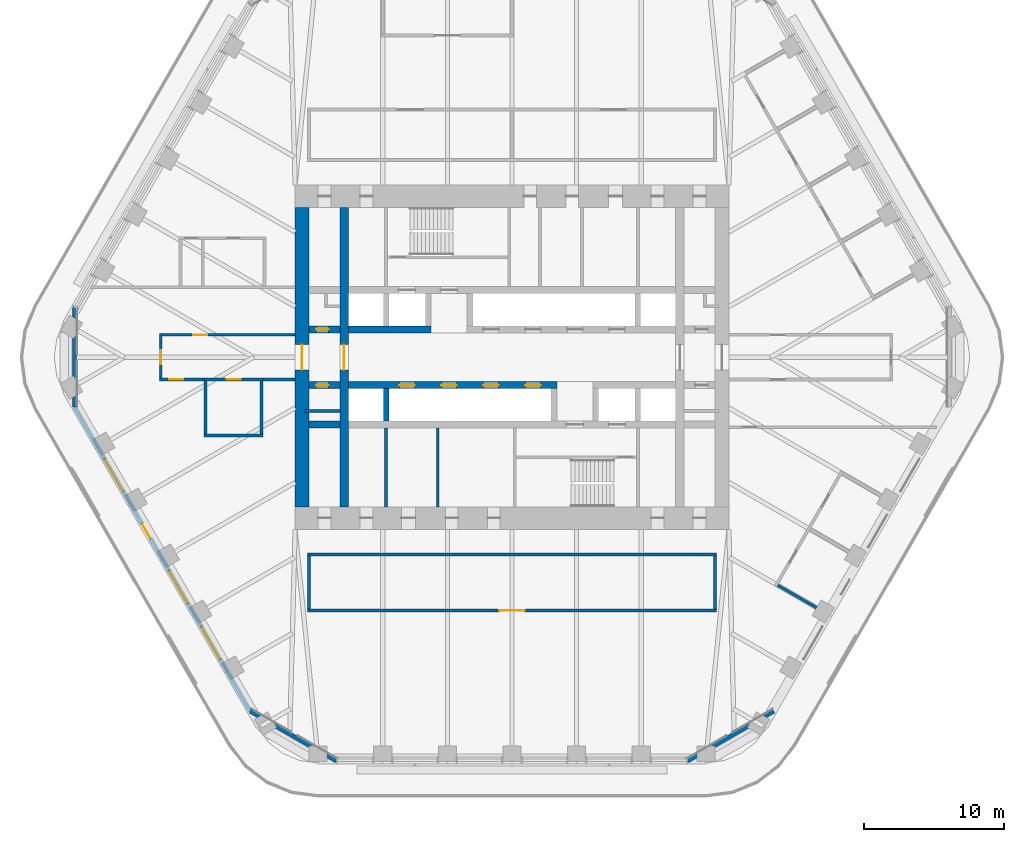
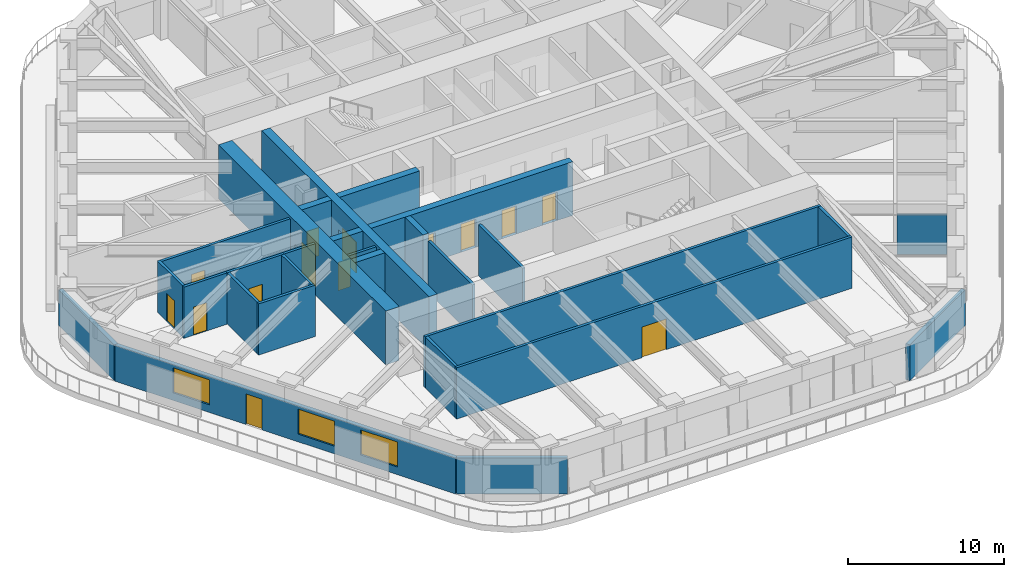
# One storey, part 14 of 20: 28 walls, 14 doors, 3 windows, 17 openings.
"""IFC4 building model written with IfcOpenShell, lengths in metres."""

from ifc_helpers import new_model, si_unit, direction, frame, frame_2d, origin, place, context, subcontext, project, spatial, rectangle, extrude, material, layer, layer_set, type_object, element, fill, save


model = new_model("IFC4")

# Units and contexts
model_context = context("Model", 3, precision=1e-05, world=origin(), true_north=direction((0.0, 1.0)))
body_context = subcontext(model_context, "Body", "Model", "MODEL_VIEW")
ifc_project = project(units=[si_unit("LENGTHUNIT", "METRE"), si_unit("AREAUNIT", "SQUARE_METRE"), si_unit("VOLUMEUNIT", "CUBIC_METRE"), si_unit("PLANEANGLEUNIT", "RADIAN"), si_unit("MASSUNIT", "GRAM", prefix="KILO")], contexts=[model_context])

# Site, building, storey
site_placement = place(None, origin())
site = spatial("IfcSite", under=ifc_project, at=site_placement, CompositionType="ELEMENT")
building_placement = place(site_placement, origin())
building = spatial("IfcBuilding", under=site, at=building_placement, Name="Tarfa Lantern Tower", CompositionType="ELEMENT")
storey_placement = place(building_placement, frame((0.0, 0.0, 240.699951171875)))
storey = spatial("IfcBuildingStorey", under=building, at=storey_placement, Name="L54", CompositionType="ELEMENT", Elevation=240.699951171875)

# Walls
ifc_material_1 = material(Name="Limestone cladding on blockwork", Category="masonry")
ifc_layer_1 = layer(ifc_material_1, 0.300048828125)
ifc_layer_set_1 = layer_set([ifc_layer_1], Name="EW1 STONE-CLAD WALL 300")
wall_type_1 = type_object("IfcWallType", Name="EW1 STONE-CLAD WALL 300", PredefinedType="SOLIDWALL", material=ifc_layer_set_1)
wall_1_placement = place(storey_placement, frame((-31.262939453125, 3.55078125, 0.0), z_axis=(0.0, 0.0, 1.0), x_axis=(0.0, -1.0, 0.0)))
element("IfcWall", 1, at=wall_1_placement, inside=storey, type_object=wall_type_1, Name="Garden wall NW-SW", PredefinedType="SOLIDWALL", context=body_context, shape_type="SweptSolid", body=[
    extrude(rectangle(XDim=7.1015625, YDim=0.300048828125, at=frame_2d((3.55078125, 0.0))), origin(), (0.0, 0.0, 1.0), 2.800048828125),
])
for number, where, z_axis, x_axis, name in (
    (2, (-18.70654296875, -25.299072265625, 0.0), (0.0, 0.0, 1.0), (0.866010973379, -0.500024993363, 0.0), "Garden wall SW-S"),
    (3, (12.556396484375, -28.85009765625, 0.0), (0.0, 0.0, 1.0), (0.866010973379, 0.500024993363, 0.0), "Garden wall S-SE"),
):
    element("IfcWall", number, at=place(storey_placement, frame(where, z_axis=z_axis, x_axis=x_axis)), inside=storey, type_object=wall_type_1, Name=name, PredefinedType="SOLIDWALL", context=body_context, shape_type="SweptSolid", body=[
        extrude(rectangle(XDim=7.101806640625, YDim=0.300048828125, at=frame_2d((3.55078125, 0.0))), origin(), (0.0, 0.0, 1.0), 2.800048828125),
    ])

# Wall, openings, door, windows
wall_2_placement = place(storey_placement, frame((-31.262939453125, -3.55078125, 0.0), z_axis=(0.0, 0.0, 1.0), x_axis=(0.500000442367, -0.866025148383, 0.0)))
wall_2 = element("IfcWall", 4, at=wall_2_placement, inside=storey, type_object=wall_type_1, Name="Stone wall SW", PredefinedType="SOLIDWALL", context=body_context, shape_type="SweptSolid", body=[
    extrude(rectangle(XDim=25.11279296875, YDim=0.300048828125, at=frame_2d((12.556396484375, 0.0))), origin(), (0.0, 0.0, 1.0), 2.800048828125),
])
opening_1_placement = place(wall_2_placement, frame((4.2783203125, 0.0, 0.60009765625)))
opening_1 = element("IfcOpeningElement", 5, at=opening_1_placement, cuts=wall_2, Name="Opening W14", PredefinedType="OPENING", context=body_context, shape_type="SweptSolid", body=[
    extrude(rectangle(XDim=2.699951171875, YDim=1.949951171875, at=frame_2d((1.35009765625, 0.97509765625))), frame((0.0, 0.159912109375, 0.0), z_axis=(0.0, -1.0, 0.0), x_axis=(1.0, 0.0, 0.0)), (0.0, 0.0, 1.0), 0.320068359375),
])
opening_2_placement = place(wall_2_placement, frame((9.64697265625, 0.0, 0.0)))
opening_2 = element("IfcOpeningElement", 6, at=opening_2_placement, cuts=wall_2, Name="Opening D49", PredefinedType="OPENING", context=body_context, shape_type="SweptSolid", body=[
    extrude(rectangle(XDim=1.199951171875, YDim=2.39990234375, at=frame_2d((0.60009765625, 1.199951171875))), frame((0.0, 0.159912109375, 0.0), z_axis=(0.0, -1.0, 0.0), x_axis=(1.0, 0.0, 0.0)), (0.0, 0.0, 1.0), 0.320068359375),
])
opening_3_placement = place(wall_2_placement, frame((13.515869140625, 0.0, 0.60009765625)))
opening_3 = element("IfcOpeningElement", 7, at=opening_3_placement, cuts=wall_2, Name="Opening W14", PredefinedType="OPENING", context=body_context, shape_type="SweptSolid", body=[
    extrude(rectangle(XDim=2.699951171875, YDim=1.949951171875, at=frame_2d((1.35009765625, 0.97509765625))), frame((0.0, 0.159912109375, 0.0), z_axis=(0.0, -1.0, 0.0), x_axis=(1.0, 0.0, 0.0)), (0.0, 0.0, 1.0), 0.320068359375),
])
opening_4_placement = place(wall_2_placement, frame((18.134521484375, 0.0, 0.60009765625)))
opening_4 = element("IfcOpeningElement", 8, at=opening_4_placement, cuts=wall_2, Name="Opening W14", PredefinedType="OPENING", context=body_context, shape_type="SweptSolid", body=[
    extrude(rectangle(XDim=2.699951171875, YDim=1.949951171875, at=frame_2d((1.35009765625, 0.97509765625))), frame((0.0, 0.159912109375, 0.0), z_axis=(0.0, -1.0, 0.0), x_axis=(1.0, 0.0, 0.0)), (0.0, 0.0, 1.0), 0.320068359375),
])
ifc_material_2 = material(Name="Aluminium framed glazed door", Category="aluminium")
door_type_1 = type_object("IfcDoorType", Name="BE3 BALCONY DOOR 1200x2400", OperationType="SINGLE_SWING_RIGHT", PredefinedType="DOOR", material=ifc_material_2)
door_1_placement = place(opening_2_placement, origin())
door_1 = element("IfcDoor", 9, at=door_1_placement, inside=storey, type_object=door_type_1, Name="Balcony door SW", OperationType="SINGLE_SWING_RIGHT", OverallHeight=2.39990234375, OverallWidth=1.199951171875, PredefinedType="DOOR", context=body_context, shape_type="SweptSolid", body=[
    extrude(rectangle(XDim=1.199951171875, YDim=2.39990234375, at=frame_2d((0.60009765625, 1.199951171875))), frame((0.0, 0.02490234375, 0.0), z_axis=(0.0, -1.0, 0.0), x_axis=(1.0, 0.0, 0.0)), (0.0, 0.0, 1.0), 0.050048828125),
])
fill(opening_2, door_1)
ifc_material_3 = material(Name="Aluminium frame, double glazed", Category="aluminium")
window_type = type_object("IfcWindowType", Name="W14 FULL-HEIGHT GLAZING 2700x1950", PartitioningType="SINGLE_PANEL", PredefinedType="WINDOW", material=ifc_material_3)
window_1_placement = place(opening_1_placement, origin())
window_1 = element("IfcWindow", 10, at=window_1_placement, inside=storey, type_object=window_type, Name="Window SW 2", OverallHeight=1.949951171875, OverallWidth=2.699951171875, PartitioningType="SINGLE_PANEL", PredefinedType="WINDOW", context=body_context, shape_type="SweptSolid", body=[
    extrude(rectangle(XDim=2.699951171875, YDim=1.949951171875, at=frame_2d((1.35009765625, 0.97509765625))), frame((0.0, 0.030029296875, 0.0), z_axis=(0.0, -1.0, 0.0), x_axis=(1.0, 0.0, 0.0)), (0.0, 0.0, 1.0), 0.06005859375),
])
fill(opening_1, window_1)
window_2_placement = place(opening_3_placement, origin())
window_2 = element("IfcWindow", 11, at=window_2_placement, inside=storey, type_object=window_type, Name="Window SW 4", OverallHeight=1.949951171875, OverallWidth=2.699951171875, PartitioningType="SINGLE_PANEL", PredefinedType="WINDOW", context=body_context, shape_type="SweptSolid", body=[
    extrude(rectangle(XDim=2.699951171875, YDim=1.949951171875, at=frame_2d((1.35009765625, 0.97509765625))), frame((0.0, 0.030029296875, 0.0), z_axis=(0.0, -1.0, 0.0), x_axis=(1.0, 0.0, 0.0)), (0.0, 0.0, 1.0), 0.06005859375),
])
fill(opening_3, window_2)
window_3_placement = place(opening_4_placement, origin())
window_3 = element("IfcWindow", 12, at=window_3_placement, inside=storey, type_object=window_type, Name="Window SW 5", OverallHeight=1.949951171875, OverallWidth=2.699951171875, PartitioningType="SINGLE_PANEL", PredefinedType="WINDOW", context=body_context, shape_type="SweptSolid", body=[
    extrude(rectangle(XDim=2.699951171875, YDim=1.949951171875, at=frame_2d((1.35009765625, 0.97509765625))), frame((0.0, 0.030029296875, 0.0), z_axis=(0.0, -1.0, 0.0), x_axis=(1.0, 0.0, 0.0)), (0.0, 0.0, 1.0), 0.06005859375),
])
fill(opening_4, window_3)

# Walls
ifc_material_4 = material(Name="Concrete blockwork", Category="masonry")
ifc_layer_2 = layer(ifc_material_4, 0.199951171875)
ifc_layer_set_2 = layer_set([ifc_layer_2], Name="IW1 BLOCKWORK PARTITION 200 EI 120")
wall_type_2 = type_object("IfcWallType", Name="IW1 BLOCKWORK PARTITION 200 EI 120", PredefinedType="PARTITIONING", material=ifc_layer_set_2)
for number, where, z_axis, x_axis, name in (
    (13, (-9.0, -5.050048828125, 0.0), (0.0, 0.0, 1.0), (0.0, -1.0, 0.0), "Core partition"),
    (14, (-5.300048828125, -5.050048828125, 0.0), (0.0, 0.0, 1.0), (0.0, -1.0, 0.0), "Core partition"),
):
    element("IfcWall", number, at=place(storey_placement, frame(where, z_axis=z_axis, x_axis=x_axis)), inside=storey, type_object=wall_type_2, Name=name, PredefinedType="PARTITIONING", context=body_context, shape_type="SweptSolid", body=[
        extrude(rectangle(XDim=5.64990234375, YDim=0.199951171875, at=frame_2d((2.824951171875, 0.0))), origin(), (0.0, 0.0, 1.0), 4.0),
    ])
wall_3_placement = place(storey_placement, frame((-12.300048828125, -3.85009765625, 0.0), z_axis=(0.0, 0.0, 1.0), x_axis=(-1.0, 0.0, 0.0)))
element("IfcWall", 15, at=wall_3_placement, inside=storey, type_object=wall_type_2, Name="Core partition", PredefinedType="PARTITIONING", context=body_context, shape_type="SweptSolid", body=[
    extrude(rectangle(XDim=2.5, YDim=0.199951171875, at=frame_2d((1.25, 0.0))), origin(), (0.0, 0.0, 1.0), 4.0),
])
ifc_material_5 = material(Name="Gypsum board on steel studs", Category="steel")
ifc_layer_3 = layer(ifc_material_5, 0.2099609375)
ifc_layer_set_3 = layer_set([ifc_layer_3], Name="IW2 ACOUSTIC PARTITION 200")
wall_type_3 = type_object("IfcWallType", Name="IW2 ACOUSTIC PARTITION 200", PredefinedType="PARTITIONING", material=ifc_layer_set_3)
wall_4_placement = place(storey_placement, frame((14.60009765625, -14.10009765625, 0.0), z_axis=(0.0, 0.0, 1.0), x_axis=(-1.0, 0.0, 0.0)))
element("IfcWall", 16, at=wall_4_placement, inside=storey, type_object=wall_type_3, Name="Partition", PredefinedType="PARTITIONING", context=body_context, shape_type="SweptSolid", body=[
    extrude(rectangle(XDim=29.2001953125, YDim=0.199951171875, at=frame_2d((14.60009765625, 0.0))), origin(), (0.0, 0.0, 1.0), 4.0),
])

# Wall, opening, door
wall_5_placement = place(storey_placement, frame((14.60009765625, -18.10009765625, 0.0), z_axis=(0.0, 0.0, 1.0), x_axis=(-1.0, 0.0, 0.0)))
wall_5 = element("IfcWall", 17, at=wall_5_placement, inside=storey, type_object=wall_type_3, Name="Partition", PredefinedType="PARTITIONING", context=body_context, shape_type="SweptSolid", body=[
    extrude(rectangle(XDim=29.2001953125, YDim=0.199951171875, at=frame_2d((14.60009765625, 0.0))), origin(), (0.0, 0.0, 1.0), 4.0),
])
opening_5_placement = place(wall_5_placement, frame((13.699951171875, 0.0, 0.0)))
opening_5 = element("IfcOpeningElement", 18, at=opening_5_placement, cuts=wall_5, Name="Opening D37", PredefinedType="OPENING", context=body_context, shape_type="SweptSolid", body=[
    extrude(rectangle(XDim=1.800048828125, YDim=2.39990234375, at=frame_2d((0.89990234375, 1.199951171875))), frame((0.0, 0.10986328125, 0.0), z_axis=(0.0, -1.0, 0.0), x_axis=(1.0, 0.0, 0.0)), (0.0, 0.0, 1.0), 0.219970703125),
])
ifc_material_6 = material(Name="Timber door", Category="wood")
door_type_2 = type_object("IfcDoorType", Name="DR2 ROOM DOOR 1800x2400", OperationType="DOUBLE_DOOR_SINGLE_SWING", PredefinedType="DOOR", material=ifc_material_6)
door_2_placement = place(opening_5_placement, frame((1.800048828125, 0.0, 0.0), z_axis=(0.0, 0.0, 1.0), x_axis=(-1.0, 0.0, 0.0)))
door_2 = element("IfcDoor", 19, at=door_2_placement, inside=storey, type_object=door_type_2, Name="File room door", OperationType="DOUBLE_DOOR_SINGLE_SWING", OverallHeight=2.39990234375, OverallWidth=1.800048828125, PredefinedType="DOOR", context=body_context, shape_type="SweptSolid", body=[
    extrude(rectangle(XDim=1.800048828125, YDim=2.39990234375, at=frame_2d((0.89990234375, 1.199951171875))), frame((0.0, 0.02490234375, 0.0), z_axis=(0.0, -1.0, 0.0), x_axis=(1.0, 0.0, 0.0)), (0.0, 0.0, 1.0), 0.050048828125),
])
fill(opening_5, door_2)

# Walls
for number, where, z_axis, x_axis, name in (
    (20, (14.5, -14.199951171875, 0.0), (0.0, 0.0, 1.0), (0.0, -1.0, 0.0), "Partition"),
    (21, (-14.5, -14.199951171875, 0.0), (0.0, 0.0, 1.0), (0.0, -1.0, 0.0), "Partition"),
):
    element("IfcWall", number, at=place(storey_placement, frame(where, z_axis=z_axis, x_axis=x_axis)), inside=storey, type_object=wall_type_3, Name=name, PredefinedType="PARTITIONING", context=body_context, shape_type="SweptSolid", body=[
        extrude(rectangle(XDim=3.800048828125, YDim=0.199951171875, at=frame_2d((1.89990234375, 0.0))), origin(), (0.0, 0.0, 1.0), 4.0),
    ])
wall_6_placement = place(storey_placement, frame((18.994873046875, -16.300048828125, 0.0), z_axis=(0.0, 0.0, 1.0), x_axis=(0.866042017984, -0.499971222258, 0.0)))
element("IfcWall", 22, at=wall_6_placement, inside=storey, type_object=wall_type_3, Name="Partition", PredefinedType="PARTITIONING", context=body_context, shape_type="SweptSolid", body=[
    extrude(rectangle(XDim=3.199951171875, YDim=0.199951171875, at=frame_2d((1.60009765625, 0.0))), origin(), (0.0, 0.0, 1.0), 3.08154296875),
])

# Wall, opening, door
wall_7_placement = place(storey_placement, frame((-17.800048828125, -1.60009765625, 0.0), z_axis=(0.0, 0.0, 1.0), x_axis=(-1.0, 0.0, 0.0)))
wall_7 = element("IfcWall", 23, at=wall_7_placement, inside=storey, type_object=wall_type_3, Name="Partition", PredefinedType="PARTITIONING", context=body_context, shape_type="SweptSolid", body=[
    extrude(rectangle(XDim=4.199951171875, YDim=0.199951171875, at=frame_2d((2.10009765625, 0.0))), origin(), (0.0, 0.0, 1.0), 4.0),
])
opening_6_placement = place(wall_7_placement, frame((1.60009765625, 0.0, 0.0)))
opening_6 = element("IfcOpeningElement", 24, at=opening_6_placement, cuts=wall_7, Name="Opening D34", PredefinedType="OPENING", context=body_context, shape_type="SweptSolid", body=[
    extrude(rectangle(XDim=1.0, YDim=2.199951171875, at=frame_2d((0.5, 1.10009765625))), frame((0.0, 0.10986328125, 0.0), z_axis=(0.0, -1.0, 0.0), x_axis=(1.0, 0.0, 0.0)), (0.0, 0.0, 1.0), 0.219970703125),
])
door_type_3 = type_object("IfcDoorType", Name="DR1 ROOM DOOR 1000x2200", OperationType="SINGLE_SWING_LEFT", PredefinedType="DOOR", material=ifc_material_6)
door_3_placement = place(opening_6_placement, origin())
door_3 = element("IfcDoor", 25, at=door_3_placement, inside=storey, type_object=door_type_3, Name="Pantry door", OperationType="SINGLE_SWING_LEFT", OverallHeight=2.199951171875, OverallWidth=1.0, PredefinedType="DOOR", context=body_context, shape_type="SweptSolid", body=[
    extrude(rectangle(XDim=1.0, YDim=2.199951171875, at=frame_2d((0.5, 1.10009765625))), frame((0.0, 0.02490234375, 0.0), z_axis=(0.0, -1.0, 0.0), x_axis=(1.0, 0.0, 0.0)), (0.0, 0.0, 1.0), 0.050048828125),
])
fill(opening_6, door_3)

# Walls
wall_8_placement = place(storey_placement, frame((-17.800048828125, -5.60009765625, 0.0), z_axis=(0.0, 0.0, 1.0), x_axis=(-1.0, 0.0, 0.0)))
element("IfcWall", 26, at=wall_8_placement, inside=storey, type_object=wall_type_3, Name="Partition", PredefinedType="PARTITIONING", context=body_context, shape_type="SweptSolid", body=[
    extrude(rectangle(XDim=4.199951171875, YDim=0.199951171875, at=frame_2d((2.10009765625, 0.0))), origin(), (0.0, 0.0, 1.0), 4.0),
])
for number, where, z_axis, x_axis, name in (
    (27, (-17.89990234375, -1.699951171875, 0.0), (0.0, 0.0, 1.0), (0.0, -1.0, 0.0), "Partition"),
    (28, (-21.89990234375, -1.699951171875, 0.0), (0.0, 0.0, 1.0), (0.0, -1.0, 0.0), "Partition"),
):
    element("IfcWall", number, at=place(storey_placement, frame(where, z_axis=z_axis, x_axis=x_axis)), inside=storey, type_object=wall_type_3, Name=name, PredefinedType="PARTITIONING", context=body_context, shape_type="SweptSolid", body=[
        extrude(rectangle(XDim=3.800048828125, YDim=0.199951171875, at=frame_2d((1.89990234375, 0.0))), origin(), (0.0, 0.0, 1.0), 4.0),
    ])

# Wall, opening, door
wall_9_placement = place(storey_placement, frame((-15.5, 1.60009765625, 0.0), z_axis=(0.0, 0.0, 1.0), x_axis=(-1.0, 0.0, 0.0)))
wall_9 = element("IfcWall", 29, at=wall_9_placement, inside=storey, type_object=wall_type_3, Name="Partition", PredefinedType="PARTITIONING", context=body_context, shape_type="SweptSolid", body=[
    extrude(rectangle(XDim=9.699951171875, YDim=0.199951171875, at=frame_2d((4.85009765625, 0.0))), origin(), (0.0, 0.0, 1.0), 4.0),
])
opening_7_placement = place(wall_9_placement, frame((6.2900390625, 0.0, 0.0)))
opening_7 = element("IfcOpeningElement", 30, at=opening_7_placement, cuts=wall_9, Name="Opening D44", PredefinedType="OPENING", context=body_context, shape_type="SweptSolid", body=[
    extrude(rectangle(XDim=1.0, YDim=2.199951171875, at=frame_2d((0.5, 1.10009765625))), frame((0.0, 0.10986328125, 0.0), z_axis=(0.0, -1.0, 0.0), x_axis=(1.0, 0.0, 0.0)), (0.0, 0.0, 1.0), 0.219970703125),
])
door_4_placement = place(opening_7_placement, frame((1.0, 0.0, 0.0), z_axis=(0.0, 0.0, 1.0), x_axis=(-1.0, 0.0, 0.0)))
door_4 = element("IfcDoor", 31, at=door_4_placement, inside=storey, type_object=door_type_3, Name="Corridor door", OperationType="SINGLE_SWING_RIGHT", OverallHeight=2.199951171875, OverallWidth=1.0, PredefinedType="DOOR", context=body_context, shape_type="SweptSolid", body=[
    extrude(rectangle(XDim=1.0, YDim=2.199951171875, at=frame_2d((0.5, 1.10009765625))), frame((0.0, 0.02490234375, 0.0), z_axis=(0.0, -1.0, 0.0), x_axis=(1.0, 0.0, 0.0)), (0.0, 0.0, 1.0), 0.050048828125),
])
fill(opening_7, door_4)

wall_10_placement = place(storey_placement, frame((-22.0, -1.60009765625, 0.0), z_axis=(0.0, 0.0, 1.0), x_axis=(-1.0, 0.0, 0.0)))
wall_10 = element("IfcWall", 32, at=wall_10_placement, inside=storey, type_object=wall_type_3, Name="Partition", PredefinedType="PARTITIONING", context=body_context, shape_type="SweptSolid", body=[
    extrude(rectangle(XDim=3.199951171875, YDim=0.199951171875, at=frame_2d((1.60009765625, 0.0))), origin(), (0.0, 0.0, 1.0), 4.0),
])
opening_8_placement = place(wall_10_placement, frame((1.5, 0.0, 0.0)))
opening_8 = element("IfcOpeningElement", 33, at=opening_8_placement, cuts=wall_10, Name="Opening D45", PredefinedType="OPENING", context=body_context, shape_type="SweptSolid", body=[
    extrude(rectangle(XDim=1.0, YDim=2.199951171875, at=frame_2d((0.5, 1.10009765625))), frame((0.0, 0.10986328125, 0.0), z_axis=(0.0, -1.0, 0.0), x_axis=(1.0, 0.0, 0.0)), (0.0, 0.0, 1.0), 0.219970703125),
])
door_5_placement = place(opening_8_placement, origin())
door_5 = element("IfcDoor", 34, at=door_5_placement, inside=storey, type_object=door_type_3, Name="Corridor door", OperationType="SINGLE_SWING_RIGHT", OverallHeight=2.199951171875, OverallWidth=1.0, PredefinedType="DOOR", context=body_context, shape_type="SweptSolid", body=[
    extrude(rectangle(XDim=1.0, YDim=2.199951171875, at=frame_2d((0.5, 1.10009765625))), frame((0.0, 0.02490234375, 0.0), z_axis=(0.0, -1.0, 0.0), x_axis=(1.0, 0.0, 0.0)), (0.0, 0.0, 1.0), 0.050048828125),
])
fill(opening_8, door_5)

# Wall
wall_11_placement = place(storey_placement, frame((-15.5, -1.60009765625, 0.0), z_axis=(0.0, 0.0, 1.0), x_axis=(-1.0, 0.0, 0.0)))
element("IfcWall", 35, at=wall_11_placement, inside=storey, type_object=wall_type_3, Name="Partition", PredefinedType="PARTITIONING", context=body_context, shape_type="SweptSolid", body=[
    extrude(rectangle(XDim=2.300048828125, YDim=0.199951171875, at=frame_2d((1.14990234375, 0.0))), origin(), (0.0, 0.0, 1.0), 4.0),
])

# Wall, opening, door
wall_12_placement = place(storey_placement, frame((-25.10009765625, -1.699951171875, 0.0), z_axis=(0.0, 0.0, 1.0), x_axis=(0.0, 1.0, 0.0)))
wall_12 = element("IfcWall", 36, at=wall_12_placement, inside=storey, type_object=wall_type_3, Name="Partition", PredefinedType="PARTITIONING", context=body_context, shape_type="SweptSolid", body=[
    extrude(rectangle(XDim=3.39990234375, YDim=0.199951171875, at=frame_2d((1.699951171875, 0.0))), origin(), (0.0, 0.0, 1.0), 4.0),
])
opening_9_placement = place(wall_12_placement, frame((1.199951171875, 0.0, 0.0)))
opening_9 = element("IfcOpeningElement", 37, at=opening_9_placement, cuts=wall_12, Name="Opening D43", PredefinedType="OPENING", context=body_context, shape_type="SweptSolid", body=[
    extrude(rectangle(XDim=1.0, YDim=2.199951171875, at=frame_2d((0.5, 1.10009765625))), frame((0.0, 0.10986328125, 0.0), z_axis=(0.0, -1.0, 0.0), x_axis=(1.0, 0.0, 0.0)), (0.0, 0.0, 1.0), 0.219970703125),
])
door_6_placement = place(opening_9_placement, origin())
door_6 = element("IfcDoor", 38, at=door_6_placement, inside=storey, type_object=door_type_3, Name="Corridor door", OperationType="SINGLE_SWING_RIGHT", OverallHeight=2.199951171875, OverallWidth=1.0, PredefinedType="DOOR", context=body_context, shape_type="SweptSolid", body=[
    extrude(rectangle(XDim=1.0, YDim=2.199951171875, at=frame_2d((0.5, 1.10009765625))), frame((0.0, 0.02490234375, 0.0), z_axis=(0.0, -1.0, 0.0), x_axis=(1.0, 0.0, 0.0)), (0.0, 0.0, 1.0), 0.050048828125),
])
fill(opening_9, door_6)

ifc_material_7 = material(Name="Concrete C80/95", Category="concrete")
ifc_layer_4 = layer(ifc_material_7, 1.0)
ifc_layer_set_4 = layer_set([ifc_layer_4], Name="SW2 CORE WALL 1000")
wall_type_4 = type_object("IfcWallType", Name="SW2 CORE WALL 1000", PredefinedType="SHEAR", material=ifc_layer_set_4)
wall_13_placement = place(storey_placement, frame((-15.0, 10.699951171875, 0.0), z_axis=(0.0, 0.0, 1.0), x_axis=(0.0, -1.0, 0.0)))
wall_13 = element("IfcWall", 39, at=wall_13_placement, inside=storey, type_object=wall_type_4, Name="Core wall W", PredefinedType="SHEAR", context=body_context, shape_type="SweptSolid", body=[
    extrude(rectangle(XDim=21.39990234375, YDim=1.0, at=frame_2d((10.699951171875, 0.0))), origin(), (0.0, 0.0, 1.0), 4.199951171875),
])
opening_10_placement = place(wall_13_placement, frame((9.800048828125, 0.0, 0.0)))
opening_10 = element("IfcOpeningElement", 40, at=opening_10_placement, cuts=wall_13, Name="Opening D12", PredefinedType="OPENING", context=body_context, shape_type="SweptSolid", body=[
    extrude(rectangle(XDim=1.800048828125, YDim=2.39990234375, at=frame_2d((0.89990234375, 1.199951171875))), frame((0.0, 0.510009765625, 0.0), z_axis=(0.0, -1.0, 0.0), x_axis=(1.0, 0.0, 0.0)), (0.0, 0.0, 1.0), 1.02001953125),
])
ifc_material_8 = material(Name="Steel fire door", Category="steel")
door_type_4 = type_object("IfcDoorType", Name="DL1 LOBBY DOOR 1800x2400", OperationType="DOUBLE_DOOR_SINGLE_SWING", PredefinedType="DOOR", material=ifc_material_8)
door_7_placement = place(opening_10_placement, frame((1.800048828125, 0.0, 0.0), z_axis=(0.0, 0.0, 1.0), x_axis=(-1.0, 0.0, 0.0)))
door_7 = element("IfcDoor", 41, at=door_7_placement, inside=storey, type_object=door_type_4, Name="Lift lobby door", OperationType="DOUBLE_DOOR_SINGLE_SWING", OverallHeight=2.39990234375, OverallWidth=1.800048828125, PredefinedType="DOOR", context=body_context, shape_type="SweptSolid", body=[
    extrude(rectangle(XDim=1.800048828125, YDim=2.39990234375, at=frame_2d((0.89990234375, 1.199951171875))), frame((0.0, 0.02490234375, 0.0), z_axis=(0.0, -1.0, 0.0), x_axis=(1.0, 0.0, 0.0)), (0.0, 0.0, 1.0), 0.050048828125),
])
fill(opening_10, door_7)

ifc_layer_5 = layer(ifc_material_7, 0.5)
ifc_layer_set_5 = layer_set([ifc_layer_5], Name="SW5 CORE WALL 500")
wall_type_5 = type_object("IfcWallType", Name="SW5 CORE WALL 500", PredefinedType="SHEAR", material=ifc_layer_set_5)
wall_14_placement = place(storey_placement, frame((-14.5, 2.0, 0.0), z_axis=(0.0, 0.0, 1.0), x_axis=(1.0, 0.0, 0.0)))
wall_14 = element("IfcWall", 42, at=wall_14_placement, inside=storey, type_object=wall_type_5, Name="Core wall lobby west N", PredefinedType="SHEAR", context=body_context, shape_type="SweptSolid", body=[
    extrude(rectangle(XDim=2.199951171875, YDim=0.5, at=frame_2d((1.10009765625, 0.0))), origin(), (0.0, 0.0, 1.0), 4.199951171875),
])
opening_11_placement = place(wall_14_placement, frame((0.5, 0.0, 0.0)))
opening_11 = element("IfcOpeningElement", 43, at=opening_11_placement, cuts=wall_14, Name="Opening D15", PredefinedType="OPENING", context=body_context, shape_type="SweptSolid", body=[
    extrude(rectangle(XDim=0.89990234375, YDim=2.199951171875, at=frame_2d((0.449951171875, 1.10009765625))), frame((0.0, 0.260009765625, 0.0), z_axis=(0.0, -1.0, 0.0), x_axis=(1.0, 0.0, 0.0)), (0.0, 0.0, 1.0), 0.52001953125),
])
door_type_5 = type_object("IfcDoorType", Name="DF6 SERVICE ROOM DOOR 900x2200", OperationType="SINGLE_SWING_LEFT", PredefinedType="DOOR", material=ifc_material_8)
door_8_placement = place(opening_11_placement, origin())
door_8 = element("IfcDoor", 44, at=door_8_placement, inside=storey, type_object=door_type_5, Name="Service room door", OperationType="SINGLE_SWING_RIGHT", OverallHeight=2.199951171875, OverallWidth=0.89990234375, PredefinedType="DOOR", context=body_context, shape_type="SweptSolid", body=[
    extrude(rectangle(XDim=0.89990234375, YDim=2.199951171875, at=frame_2d((0.449951171875, 1.10009765625))), frame((0.0, 0.02490234375, 0.0), z_axis=(0.0, -1.0, 0.0), x_axis=(1.0, 0.0, 0.0)), (0.0, 0.0, 1.0), 0.050048828125),
])
fill(opening_11, door_8)

# Wall
wall_15_placement = place(storey_placement, frame((-11.699951171875, 2.0, 0.0), z_axis=(0.0, 0.0, 1.0), x_axis=(1.0, 0.0, 0.0)))
element("IfcWall", 45, at=wall_15_placement, inside=storey, type_object=wall_type_5, Name="Core wall lobby west N", PredefinedType="SHEAR", context=body_context, shape_type="SweptSolid", body=[
    extrude(rectangle(XDim=5.89990234375, YDim=0.5, at=frame_2d((2.949951171875, 0.0))), origin(), (0.0, 0.0, 1.0), 4.199951171875),
])

# Wall, openings, doors
wall_16_placement = place(storey_placement, frame((3.199951171875, -2.0, 0.0), z_axis=(0.0, 0.0, 1.0), x_axis=(-1.0, 0.0, 0.0)))
wall_16 = element("IfcWall", 46, at=wall_16_placement, inside=storey, type_object=wall_type_5, Name="Core wall lobby east S", PredefinedType="SHEAR", context=body_context, shape_type="SweptSolid", body=[
    extrude(rectangle(XDim=14.89990234375, YDim=0.5, at=frame_2d((7.449951171875, 0.0))), origin(), (0.0, 0.0, 1.0), 4.199951171875),
])
opening_12_placement = place(wall_16_placement, frame((1.14990234375, 0.0, 0.0)))
opening_12 = element("IfcOpeningElement", 47, at=opening_12_placement, cuts=wall_16, Name="Opening LD07", PredefinedType="OPENING", context=body_context, shape_type="SweptSolid", body=[
    extrude(rectangle(XDim=1.10009765625, YDim=2.199951171875, at=frame_2d((0.550048828125, 1.10009765625))), frame((0.0, 0.260009765625, 0.0), z_axis=(0.0, -1.0, 0.0), x_axis=(1.0, 0.0, 0.0)), (0.0, 0.0, 1.0), 0.52001953125),
])
opening_13_placement = place(wall_16_placement, frame((4.14990234375, 0.0, 0.0)))
opening_13 = element("IfcOpeningElement", 48, at=opening_13_placement, cuts=wall_16, Name="Opening LD08", PredefinedType="OPENING", context=body_context, shape_type="SweptSolid", body=[
    extrude(rectangle(XDim=1.10009765625, YDim=2.199951171875, at=frame_2d((0.550048828125, 1.10009765625))), frame((0.0, 0.260009765625, 0.0), z_axis=(0.0, -1.0, 0.0), x_axis=(1.0, 0.0, 0.0)), (0.0, 0.0, 1.0), 0.52001953125),
])
opening_14_placement = place(wall_16_placement, frame((7.14990234375, 0.0, 0.0)))
opening_14 = element("IfcOpeningElement", 49, at=opening_14_placement, cuts=wall_16, Name="Opening LD09", PredefinedType="OPENING", context=body_context, shape_type="SweptSolid", body=[
    extrude(rectangle(XDim=1.10009765625, YDim=2.199951171875, at=frame_2d((0.550048828125, 1.10009765625))), frame((0.0, 0.260009765625, 0.0), z_axis=(0.0, -1.0, 0.0), x_axis=(1.0, 0.0, 0.0)), (0.0, 0.0, 1.0), 0.52001953125),
])
opening_15_placement = place(wall_16_placement, frame((10.14990234375, 0.0, 0.0)))
opening_15 = element("IfcOpeningElement", 50, at=opening_15_placement, cuts=wall_16, Name="Opening LD10", PredefinedType="OPENING", context=body_context, shape_type="SweptSolid", body=[
    extrude(rectangle(XDim=1.10009765625, YDim=2.199951171875, at=frame_2d((0.550048828125, 1.10009765625))), frame((0.0, 0.260009765625, 0.0), z_axis=(0.0, -1.0, 0.0), x_axis=(1.0, 0.0, 0.0)), (0.0, 0.0, 1.0), 0.52001953125),
])
ifc_material_9 = material(Name="Stainless steel lift door", Category="steel")
door_type_6 = type_object("IfcDoorType", Name="LD2 LIFT LANDING DOOR 1100x2200", OperationType="SLIDING_TO_LEFT", PredefinedType="DOOR", material=ifc_material_9)
door_9_placement = place(opening_12_placement, frame((1.10009765625, 0.0, 0.0), z_axis=(0.0, 0.0, 1.0), x_axis=(-1.0, 0.0, 0.0)))
door_9 = element("IfcDoor", 51, at=door_9_placement, inside=storey, type_object=door_type_6, Name="Landing door PC5", OperationType="SLIDING_TO_LEFT", OverallHeight=2.199951171875, OverallWidth=1.10009765625, PredefinedType="DOOR", context=body_context, shape_type="SweptSolid", body=[
    extrude(rectangle(XDim=1.10009765625, YDim=2.199951171875, at=frame_2d((0.550048828125, 1.10009765625))), frame((0.0, 0.02490234375, 0.0), z_axis=(0.0, -1.0, 0.0), x_axis=(1.0, 0.0, 0.0)), (0.0, 0.0, 1.0), 0.050048828125),
])
fill(opening_12, door_9)
door_10_placement = place(opening_13_placement, frame((1.10009765625, 0.0, 0.0), z_axis=(0.0, 0.0, 1.0), x_axis=(-1.0, 0.0, 0.0)))
door_10 = element("IfcDoor", 52, at=door_10_placement, inside=storey, type_object=door_type_6, Name="Landing door PC6", OperationType="SLIDING_TO_LEFT", OverallHeight=2.199951171875, OverallWidth=1.10009765625, PredefinedType="DOOR", context=body_context, shape_type="SweptSolid", body=[
    extrude(rectangle(XDim=1.10009765625, YDim=2.199951171875, at=frame_2d((0.550048828125, 1.10009765625))), frame((0.0, 0.02490234375, 0.0), z_axis=(0.0, -1.0, 0.0), x_axis=(1.0, 0.0, 0.0)), (0.0, 0.0, 1.0), 0.050048828125),
])
fill(opening_13, door_10)
door_11_placement = place(opening_14_placement, frame((1.10009765625, 0.0, 0.0), z_axis=(0.0, 0.0, 1.0), x_axis=(-1.0, 0.0, 0.0)))
door_11 = element("IfcDoor", 53, at=door_11_placement, inside=storey, type_object=door_type_6, Name="Landing door PC7", OperationType="SLIDING_TO_LEFT", OverallHeight=2.199951171875, OverallWidth=1.10009765625, PredefinedType="DOOR", context=body_context, shape_type="SweptSolid", body=[
    extrude(rectangle(XDim=1.10009765625, YDim=2.199951171875, at=frame_2d((0.550048828125, 1.10009765625))), frame((0.0, 0.02490234375, 0.0), z_axis=(0.0, -1.0, 0.0), x_axis=(1.0, 0.0, 0.0)), (0.0, 0.0, 1.0), 0.050048828125),
])
fill(opening_14, door_11)
door_12_placement = place(opening_15_placement, frame((1.10009765625, 0.0, 0.0), z_axis=(0.0, 0.0, 1.0), x_axis=(-1.0, 0.0, 0.0)))
door_12 = element("IfcDoor", 54, at=door_12_placement, inside=storey, type_object=door_type_6, Name="Landing door PC8", OperationType="SLIDING_TO_LEFT", OverallHeight=2.199951171875, OverallWidth=1.10009765625, PredefinedType="DOOR", context=body_context, shape_type="SweptSolid", body=[
    extrude(rectangle(XDim=1.10009765625, YDim=2.199951171875, at=frame_2d((0.550048828125, 1.10009765625))), frame((0.0, 0.02490234375, 0.0), z_axis=(0.0, -1.0, 0.0), x_axis=(1.0, 0.0, 0.0)), (0.0, 0.0, 1.0), 0.050048828125),
])
fill(opening_15, door_12)

# Wall, opening, door
wall_17_placement = place(storey_placement, frame((-12.300048828125, -2.0, 0.0), z_axis=(0.0, 0.0, 1.0), x_axis=(-1.0, 0.0, 0.0)))
wall_17 = element("IfcWall", 55, at=wall_17_placement, inside=storey, type_object=wall_type_5, Name="Core wall lobby east S", PredefinedType="SHEAR", context=body_context, shape_type="SweptSolid", body=[
    extrude(rectangle(XDim=2.199951171875, YDim=0.5, at=frame_2d((1.10009765625, 0.0))), origin(), (0.0, 0.0, 1.0), 4.199951171875),
])
opening_16_placement = place(wall_17_placement, frame((0.800048828125, 0.0, 0.0)))
opening_16 = element("IfcOpeningElement", 56, at=opening_16_placement, cuts=wall_17, Name="Opening D14", PredefinedType="OPENING", context=body_context, shape_type="SweptSolid", body=[
    extrude(rectangle(XDim=0.89990234375, YDim=2.199951171875, at=frame_2d((0.449951171875, 1.10009765625))), frame((0.0, 0.260009765625, 0.0), z_axis=(0.0, -1.0, 0.0), x_axis=(1.0, 0.0, 0.0)), (0.0, 0.0, 1.0), 0.52001953125),
])
door_13_placement = place(opening_16_placement, origin())
door_13 = element("IfcDoor", 57, at=door_13_placement, inside=storey, type_object=door_type_5, Name="Service room door", OperationType="SINGLE_SWING_LEFT", OverallHeight=2.199951171875, OverallWidth=0.89990234375, PredefinedType="DOOR", context=body_context, shape_type="SweptSolid", body=[
    extrude(rectangle(XDim=0.89990234375, YDim=2.199951171875, at=frame_2d((0.449951171875, 1.10009765625))), frame((0.0, 0.02490234375, 0.0), z_axis=(0.0, -1.0, 0.0), x_axis=(1.0, 0.0, 0.0)), (0.0, 0.0, 1.0), 0.050048828125),
])
fill(opening_16, door_13)

# Walls
wall_18_placement = place(storey_placement, frame((-12.300048828125, -4.800048828125, 0.0), z_axis=(0.0, 0.0, 1.0), x_axis=(-1.0, 0.0, 0.0)))
element("IfcWall", 58, at=wall_18_placement, inside=storey, type_object=wall_type_5, Name="Core wall rear S", PredefinedType="SHEAR", context=body_context, shape_type="SweptSolid", body=[
    extrude(rectangle(XDim=2.199951171875, YDim=0.5, at=frame_2d((1.10009765625, 0.0))), origin(), (0.0, 0.0, 1.0), 4.199951171875),
])
ifc_layer_6 = layer(ifc_material_7, 0.39990234375)
ifc_layer_set_6 = layer_set([ifc_layer_6], Name="SW6 CORE WALL 400")
wall_type_6 = type_object("IfcWallType", Name="SW6 CORE WALL 400", PredefinedType="SHEAR", material=ifc_layer_set_6)
wall_19_placement = place(storey_placement, frame((-9.0, -2.25, 0.0), z_axis=(0.0, 0.0, 1.0), x_axis=(0.0, -1.0, 0.0)))
element("IfcWall", 59, at=wall_19_placement, inside=storey, type_object=wall_type_6, Name="Core wall divider S", PredefinedType="SHEAR", context=body_context, shape_type="SweptSolid", body=[
    extrude(rectangle(XDim=2.300048828125, YDim=0.39990234375, at=frame_2d((1.14990234375, 0.0))), origin(), (0.0, 0.0, 1.0), 4.199951171875),
])

# Wall, opening, door
ifc_layer_7 = layer(ifc_material_7, 0.60009765625)
ifc_layer_set_7 = layer_set([ifc_layer_7], Name="SW9 CORE WALL 600")
wall_type_7 = type_object("IfcWallType", Name="SW9 CORE WALL 600", PredefinedType="SHEAR", material=ifc_layer_set_7)
wall_20_placement = place(storey_placement, frame((-12.0, -10.699951171875, 0.0), z_axis=(0.0, 0.0, 1.0), x_axis=(0.0, 1.0, 0.0)))
wall_20 = element("IfcWall", 60, at=wall_20_placement, inside=storey, type_object=wall_type_7, Name="Core wall cross 12 m west", PredefinedType="SHEAR", context=body_context, shape_type="SweptSolid", body=[
    extrude(rectangle(XDim=21.39990234375, YDim=0.60009765625, at=frame_2d((10.699951171875, 0.0))), origin(), (0.0, 0.0, 1.0), 4.199951171875),
])
opening_17_placement = place(wall_20_placement, frame((9.800048828125, 0.0, 0.0)))
opening_17 = element("IfcOpeningElement", 61, at=opening_17_placement, cuts=wall_20, Name="Opening D26", PredefinedType="OPENING", context=body_context, shape_type="SweptSolid", body=[
    extrude(rectangle(XDim=1.800048828125, YDim=2.39990234375, at=frame_2d((0.89990234375, 1.199951171875))), frame((0.0, 0.31005859375, 0.0), z_axis=(0.0, -1.0, 0.0), x_axis=(1.0, 0.0, 0.0)), (0.0, 0.0, 1.0), 0.6201171875),
])
door_14_placement = place(opening_17_placement, origin())
door_14 = element("IfcDoor", 62, at=door_14_placement, inside=storey, type_object=door_type_4, Name="Lift lobby door", OperationType="DOUBLE_DOOR_SINGLE_SWING", OverallHeight=2.39990234375, OverallWidth=1.800048828125, PredefinedType="DOOR", context=body_context, shape_type="SweptSolid", body=[
    extrude(rectangle(XDim=1.800048828125, YDim=2.39990234375, at=frame_2d((0.89990234375, 1.199951171875))), frame((0.0, 0.02490234375, 0.0), z_axis=(0.0, -1.0, 0.0), x_axis=(1.0, 0.0, 0.0)), (0.0, 0.0, 1.0), 0.050048828125),
])
fill(opening_17, door_14)

save(model, "model.ifc")
